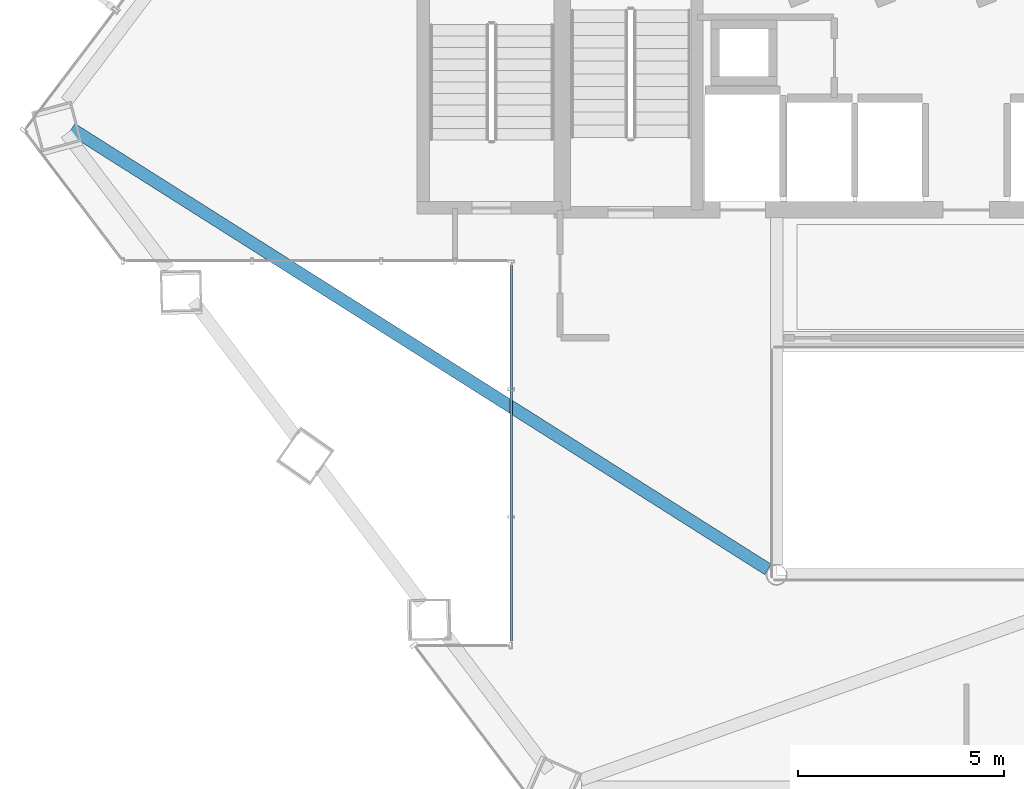
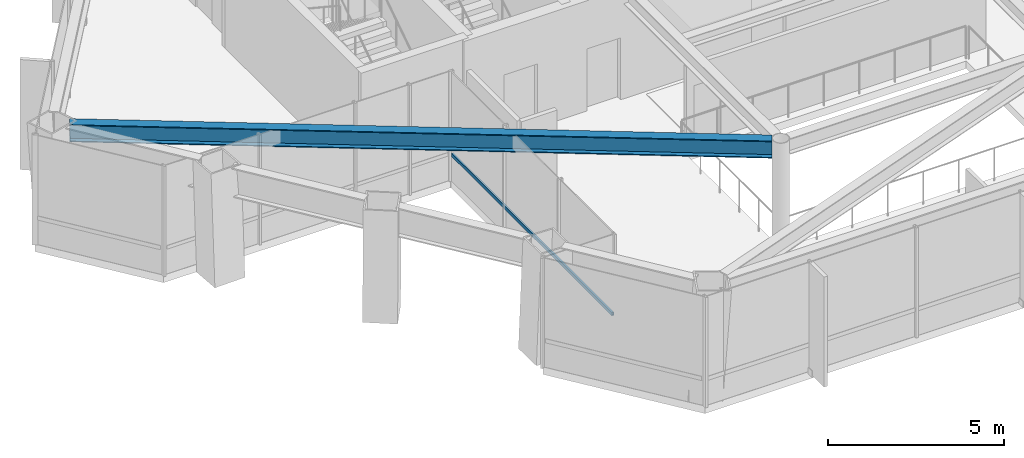
# One storey, part 4 of 24: 1 beam, 1 member, 1 element without a shape of its own.
"""IFC4 building model written with IfcOpenShell, lengths in metres."""

from ifc_helpers import new_model, si_unit, direction, frame, origin, origin_2d, place, context, subcontext, project, spatial, hollow_rectangle, i_section, extrude, material, layer, layer_set, material_profile, profile_set, type_object, element, aggregate, save


model = new_model("IFC4")

# Units and contexts
model_context = context("Model", 3, precision=1e-05, world=origin(), true_north=direction((0.0, 1.0)))
body_context = subcontext(model_context, "Body", "Model", "MODEL_VIEW")
ifc_project = project(units=[si_unit("LENGTHUNIT", "METRE"), si_unit("AREAUNIT", "SQUARE_METRE"), si_unit("VOLUMEUNIT", "CUBIC_METRE"), si_unit("PLANEANGLEUNIT", "RADIAN"), si_unit("MASSUNIT", "GRAM", prefix="KILO")], contexts=[model_context])

# Site, building, storey
site_placement = place(None, origin())
site = spatial("IfcSite", under=ifc_project, at=site_placement, CompositionType="ELEMENT")
building_placement = place(site_placement, origin())
building = spatial("IfcBuilding", under=site, at=building_placement, Name="Zarrinselat Tower", CompositionType="ELEMENT")
storey_placement = place(building_placement, frame((0.0, 0.0, 68.340087890625)))
storey = spatial("IfcBuildingStorey", under=building, at=storey_placement, Name="L16", CompositionType="ELEMENT", Elevation=68.340087890625)

# Beam
ifc_material_1 = material(Name="Steel S355J2", Category="steel")
ifc_material_profile_1 = material_profile(ifc_material_1, i_section(OverallWidth=0.300048828125, OverallDepth=0.60009765625, WebThickness=0.015380859375, FlangeThickness=0.030029296875, at=origin_2d()), Name="HEB 600")
ifc_profile_set_1 = profile_set([ifc_material_profile_1], Name="Steel S355J2")
beam_type = type_object("IfcBeamType", Name="BM-HEB600", PredefinedType="BEAM", material=ifc_profile_set_1)
beam_placement = place(storey_placement, frame((16.705078125, 35.218505859375, 3.52001953125), z_axis=(0.845002213548, -0.534762806391, 0.0), x_axis=(0.534762806391, 0.845002213548, 0.0)))
element("IfcBeam", 1, at=beam_placement, inside=storey, type_object=beam_type, Name="L16 Radial Primary Girder RG06", PredefinedType="BEAM", context=body_context, shape_type="SweptSolid", body=[
    extrude(i_section(OverallWidth=0.300048828125, OverallDepth=0.60009765625, WebThickness=0.015380859375, FlangeThickness=0.030029296875, at=origin_2d()), origin(), (0.0, 0.0, 1.0), 19.98046875),
])

# Curtain wall, member
ifc_material_2 = material(Name="Extruded Aluminium Alloy EN AW-6063 T6", Category="aluminium")
ifc_layer = layer(ifc_material_2, 0.18994140625)
ifc_layer_set = layer_set([ifc_layer], Name="Extruded Aluminium Alloy EN AW-6063 T6")
curtain_wall_type = type_object("IfcCurtainWallType", Name="CWS-SG", PredefinedType="NOTDEFINED", material=ifc_layer_set)
curtain_wall_placement = place(storey_placement, origin())
curtain_wall = element("IfcCurtainWall", 2, at=curtain_wall_placement, inside=storey, type_object=curtain_wall_type, Name="L16 Unitised Curtain Wall CW-L16-E24", PredefinedType="NOTDEFINED")
ifc_material_3 = material(Name="Extruded Aluminium Alloy EN AW-6063 T6", Category="aluminium")
ifc_material_profile_2 = material_profile(ifc_material_3, hollow_rectangle(XDim=0.06005859375, YDim=0.1201171875, WallThickness=0.00390625, at=origin_2d()), Name="RHS 120x60x4")
ifc_profile_set_2 = profile_set([ifc_material_profile_2], Name="Extruded Aluminium Alloy EN AW-6063 T6")
member_type = type_object("IfcMemberType", Name="MEM-CW-TRN2", PredefinedType="USERDEFINED", material=ifc_profile_set_2)
member_placement = place(storey_placement, frame((27.363525390625, 22.79638671875, 0.949951171875), z_axis=(0.0, 1.0, 0.0), x_axis=(-1.0, 0.0, 0.0)))
member = element("IfcMember", 3, at=member_placement, type_object=member_type, Name="CW-L16-E24 Transom 1", ObjectType="TRANSOM", PredefinedType="USERDEFINED", context=body_context, shape_type="SweptSolid", body=[
    extrude(hollow_rectangle(XDim=0.06005859375, YDim=0.1201171875, WallThickness=0.00390625, at=origin_2d()), origin(), (0.0, 0.0, 1.0), 9.113525390625),
])
aggregate(curtain_wall, [member])

save(model, "model.ifc")
